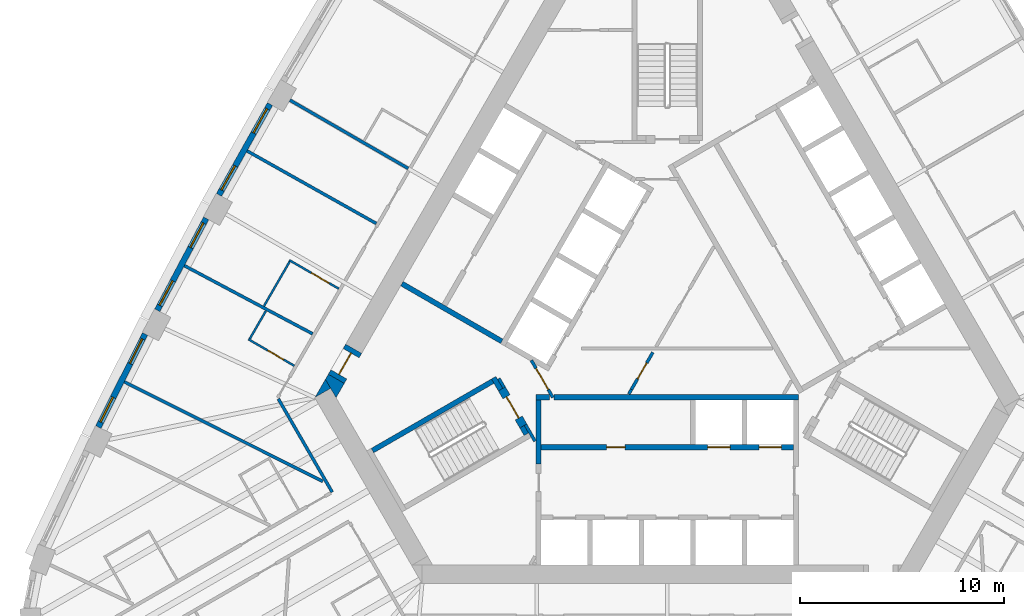
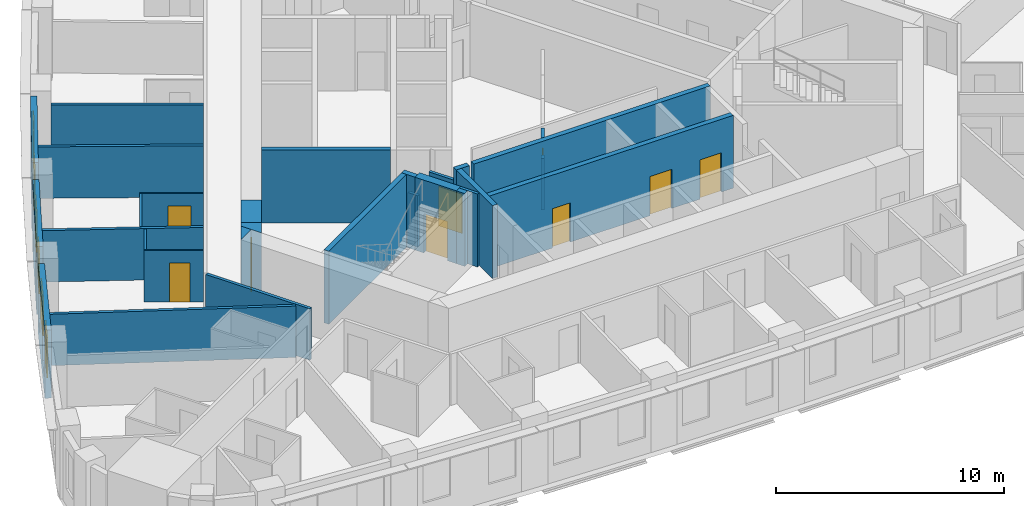
# One storey, part 5 of 13: 29 walls, 9 doors, 6 windows, 15 openings.
"""IFC4 building model written with IfcOpenShell, lengths in metres."""

import ifcopenshell
import ifcopenshell.guid

model = None  # the IFC model being written
_history = None  # IfcOwnerHistory: only IFC2X3 demands one
_inside = {}  # id of a spatial element -> (the spatial element, [elements in it])
_under = {}  # id of a project, library or spatial element -> (it, [spatial elements below it])
_declared = {}  # id of a project -> (the project, [libraries it declares])
_typed = {}  # id of a type object -> (the type object, [elements of that type])
_made_of = {}  # id of a material, layer set ... -> (it, [elements and type objects made of it])


def new_model(schema):
    """Start an empty IFC model of exactly this schema.

    Asked for "IFC4X3", IfcOpenShell would pick the latest addendum, in which some entities
    have other attributes; the version numbers below select the first issue.
    IFC2X3 requires an IfcOwnerHistory on every rooted entity: one is made here for all.
    """
    global model, _history
    if schema == "IFC4X3":
        model = ifcopenshell.file(schema_version=(4, 3, 0, 0))
    else:
        model = ifcopenshell.file(schema=schema)
    _inside.clear()
    _under.clear()
    _declared.clear()
    _typed.clear()
    _made_of.clear()
    _history = None
    if model.schema == "IFC2X3":
        org = make("IfcOrganization", Name="unknown")
        user = make(
            "IfcPersonAndOrganization",
            ThePerson=make("IfcPerson", FamilyName="unknown"),
            TheOrganization=org,
        )
        app = make(
            "IfcApplication",
            ApplicationDeveloper=org,
            Version="unknown",
            ApplicationFullName="unknown",
            ApplicationIdentifier="unknown",
        )
        _history = make(
            "IfcOwnerHistory",
            OwningUser=user,
            OwningApplication=app,
            ChangeAction="ADDED",
            CreationDate=0,
        )
    return model


def make(cls, **values):
    """One entity of the class cls with the attributes given. An attribute that is None is left unset."""
    return model.create_entity(
        cls, **{name: value for name, value in values.items() if value is not None}
    )


def rooted(cls, **values):
    """An entity with a GlobalId (a new one), such as an element, a storey or a relation."""
    return make(cls, GlobalId=ifcopenshell.guid.new(), OwnerHistory=_history, **values)


def si_unit(unit_type, name, prefix=None):
    """IfcSIUnit, for example si_unit("LENGTHUNIT", "METRE", prefix="MILLI")."""
    return make("IfcSIUnit", UnitType=unit_type, Prefix=prefix, Name=name)


def assignment(units):
    """IfcUnitAssignment: the units of a project."""
    return None if units is None else make("IfcUnitAssignment", Units=units)


def point(xyz):
    """IfcCartesianPoint."""
    return None if xyz is None else make("IfcCartesianPoint", Coordinates=xyz)


def direction(xyz):
    """IfcDirection."""
    return None if xyz is None else make("IfcDirection", DirectionRatios=xyz)


def frame(location, z_axis=None, x_axis=None):
    """IfcAxis2Placement3D, a coordinate frame: its origin and axes. An axis left out is left unset."""
    return make(
        "IfcAxis2Placement3D",
        Location=point(location),
        Axis=direction(z_axis),
        RefDirection=direction(x_axis),
    )


def frame_2d(location, x_axis=None):
    """IfcAxis2Placement2D, a coordinate frame in the plane: its origin and x axis."""
    return make(
        "IfcAxis2Placement2D", Location=point(location), RefDirection=direction(x_axis)
    )


def origin():
    """The frame at (0, 0, 0) with its axes left unset."""
    return frame((0.0, 0.0, 0.0))


def place(relative_to, where):
    """IfcLocalPlacement: puts the frame where relative to a parent placement (None: the world)."""
    return make(
        "IfcLocalPlacement", PlacementRelTo=relative_to, RelativePlacement=where
    )


def context(
    kind, dimensions, precision=None, world=None, true_north=None, identifier=None
):
    """IfcGeometricRepresentationContext, for example the 3D "Model" context."""
    return make(
        "IfcGeometricRepresentationContext",
        ContextIdentifier=identifier,
        ContextType=kind,
        CoordinateSpaceDimension=dimensions,
        Precision=precision,
        WorldCoordinateSystem=world,
        TrueNorth=true_north,
    )


def subcontext(parent, identifier, kind, view, scale=None):
    """IfcGeometricRepresentationSubContext, for example "Body" below "Model"."""
    return make(
        "IfcGeometricRepresentationSubContext",
        ContextIdentifier=identifier,
        ContextType=kind,
        ParentContext=parent,
        TargetScale=scale,
        TargetView=view,
    )


def project(units=None, contexts=None):
    """IfcProject with its units and contexts."""
    return rooted(
        "IfcProject",
        Name="project",
        RepresentationContexts=contexts,
        UnitsInContext=assignment(units),
    )


def spatial(cls, under=None, at=None, **own):
    """A site, building, storey or space (cls), placed at a placement, below another one or the project."""
    s = rooted(cls, ObjectPlacement=at, **own)
    if under is not None:
        _under.setdefault(under.id(), (under, []))[1].append(s)
    return s


def polyline(points):
    """IfcPolyline through the points."""
    return make("IfcPolyline", Points=[point(p) for p in points])


def profile(cls, at=None, kind="AREA", **sizes):
    """A parametric profile (cls). Its sizes go by their IFC names, for example OverallWidth=200.0."""
    return make(cls, ProfileType=kind, Position=at, **sizes)


def rectangle(**sizes):
    """IfcRectangleProfileDef."""
    return profile("IfcRectangleProfileDef", **sizes)


def outline(outer, holes=None, kind="AREA"):
    """IfcArbitraryClosedProfileDef: a profile drawn as a closed curve; with holes, ...WithVoids."""
    if holes is None:
        return make("IfcArbitraryClosedProfileDef", ProfileType=kind, OuterCurve=outer)
    return make(
        "IfcArbitraryProfileDefWithVoids",
        ProfileType=kind,
        OuterCurve=outer,
        InnerCurves=holes,
    )


def extrude(swept, where, along, depth):
    """IfcExtrudedAreaSolid: the profile swept, set in the frame where, extruded along a direction by depth."""
    return make(
        "IfcExtrudedAreaSolid",
        SweptArea=swept,
        Position=where,
        ExtrudedDirection=direction(along),
        Depth=depth,
    )


def shape(context_of_items, identifier, shape_type, items):
    """IfcShapeRepresentation: the items that make up one representation, for example the "Body"."""
    return make(
        "IfcShapeRepresentation",
        ContextOfItems=context_of_items,
        RepresentationIdentifier=identifier,
        RepresentationType=shape_type,
        Items=items,
    )


def material(Name=None, Category=None):
    """IfcMaterial."""
    return make("IfcMaterial", Name=Name, Category=Category)


def layer(
    of_material, thickness, ventilated=None, Name=None, Category=None, Priority=None
):
    """IfcMaterialLayer: one layer of a wall or slab, of a material (None: an air gap)."""
    return make(
        "IfcMaterialLayer",
        Material=of_material,
        LayerThickness=thickness,
        IsVentilated=ventilated,
        Name=Name,
        Category=Category,
        Priority=Priority,
    )


def layer_set(layers, Name=None):
    """IfcMaterialLayerSet."""
    return make("IfcMaterialLayerSet", MaterialLayers=layers, LayerSetName=Name)


def made_of(thing, what):
    """Note that an element or type object is made of a material, layer set ...; save() writes the relation."""
    if what is not None:
        _made_of.setdefault(what.id(), (what, []))[1].append(thing)
    return thing


def type_object(cls, material=None, **own):
    """A type object (cls), such as IfcWallType, which elements share."""
    return made_of(rooted(cls, **own), material)


def element(
    cls,
    number,
    at=None,
    inside=None,
    cuts=None,
    type_object=None,
    material=None,
    context=None,
    identifier="Body",
    shape_type=None,
    held_by="IfcProductDefinitionShape",
    body=None,
    shapes=None,
    **own,
):
    """One element of the class cls, such as IfcWall. Its Tag is "e" and its number.

    at: its placement. inside: the storey or other place that contains it. cuts: it is an
    opening in that element (IfcRelVoidsElement). A single representation is given by context,
    identifier, shape_type and body (its items); several are given by shapes. held_by: the class
    of the entity that holds the representations. save() writes the other relations.
    """
    e = rooted(cls, Tag="e%d" % number, ObjectPlacement=at, **own)
    if body is not None:
        shapes = [shape(context, identifier, shape_type, body)]
    if shapes is not None:
        e.Representation = make(held_by, Representations=shapes)
    if inside is not None:
        _inside.setdefault(inside.id(), (inside, []))[1].append(e)
    if cuts is not None:
        rooted(
            "IfcRelVoidsElement", RelatingBuildingElement=cuts, RelatedOpeningElement=e
        )
    if type_object is not None:
        _typed.setdefault(type_object.id(), (type_object, []))[1].append(e)
    return made_of(e, material)


def fill(opening, filler):
    """IfcRelFillsElement: the door or window that sits in an opening."""
    return rooted(
        "IfcRelFillsElement",
        RelatingOpeningElement=opening,
        RelatedBuildingElement=filler,
    )


def aggregate(whole, parts):
    """IfcRelAggregates: a whole, such as a stair, and the parts it consists of."""
    return rooted("IfcRelAggregates", RelatingObject=whole, RelatedObjects=parts)


def save(model, path):
    """Write the relations noted so far, then the file.

    IfcRelAggregates (storeys below a building ...), IfcRelContainedInSpatialStructure (elements
    in a storey), IfcRelDefinesByType, IfcRelAssociatesMaterial and IfcRelDeclares: one each for
    every whole, place, type object, material and project.
    """
    for whole, parts in _under.values():
        aggregate(whole, parts)
    for where, things in _inside.values():
        rooted(
            "IfcRelContainedInSpatialStructure",
            RelatedElements=things,
            RelatingStructure=where,
        )
    for kind, things in _typed.values():
        rooted("IfcRelDefinesByType", RelatedObjects=things, RelatingType=kind)
    for what, things in _made_of.values():
        rooted("IfcRelAssociatesMaterial", RelatedObjects=things, RelatingMaterial=what)
    for by, libraries in _declared.values():
        rooted("IfcRelDeclares", RelatingContext=by, RelatedDefinitions=libraries)
    model.write(path)


model = new_model("IFC4")

# Units and contexts
model_context = context("Model", 3, precision=1e-05, world=origin(), true_north=direction((0.0, 1.0)))
body_context = subcontext(model_context, "Body", "Model", "MODEL_VIEW")
ifc_project = project(units=[si_unit("LENGTHUNIT", "METRE"), si_unit("AREAUNIT", "SQUARE_METRE"), si_unit("VOLUMEUNIT", "CUBIC_METRE"), si_unit("PLANEANGLEUNIT", "RADIAN"), si_unit("MASSUNIT", "GRAM", prefix="KILO")], contexts=[model_context])

# Site, building, storey
site_placement = place(None, origin())
site = spatial("IfcSite", under=ifc_project, at=site_placement, CompositionType="ELEMENT")
building_placement = place(site_placement, origin())
building = spatial("IfcBuilding", under=site, at=building_placement, Name="Mestral Congress Tower", CompositionType="ELEMENT")
storey_placement = place(building_placement, frame((0.0, 0.0, 91.5)))
storey = spatial("IfcBuildingStorey", under=building, at=storey_placement, Name="L21", CompositionType="ELEMENT", Elevation=91.5)

# Walls
ifc_material_1 = material(Name="Fire-rated board partition")
ifc_layer_1 = layer(ifc_material_1, 0.14990234375)
ifc_layer_set_1 = layer_set([ifc_layer_1], Name="Fire-rated board partition")
wall_type_1 = type_object("IfcWallType", Name="Core partition 150", PredefinedType="PARTITIONING", material=ifc_layer_set_1)
wall_1_placement = place(storey_placement, frame((-1.886962890625, -3.71826171875, 0.0), z_axis=(0.0, 0.0, 1.0), x_axis=(0.500165633897, 0.865929753888, 0.0)))
element("IfcWall", 1, at=wall_1_placement, inside=storey, type_object=wall_type_1, Name="L21 core wall", PredefinedType="PARTITIONING", context=body_context, shape_type="SweptSolid", body=[
    extrude(rectangle(XDim=0.25439453125, YDim=0.14990234375, at=frame_2d((0.127197265625, 0.0))), origin(), (0.0, 0.0, 1.0), 2.75),
])
wall_2_placement = place(storey_placement, frame((-8.251953125, -2.958251953125, 0.0), z_axis=(0.0, 0.0, 1.0), x_axis=(0.500174715838, -0.865924508047, 0.0)))
element("IfcWall", 2, at=wall_2_placement, inside=storey, type_object=wall_type_1, Name="L21 core wall", PredefinedType="PARTITIONING", context=body_context, shape_type="SweptSolid", body=[
    extrude(rectangle(XDim=0.513916015625, YDim=0.14990234375, at=frame_2d((0.2568359375, 0.0))), origin(), (0.0, 0.0, 1.0), 2.75),
])

# Wall, opening, door
wall_3_placement = place(storey_placement, frame((-1.759765625, -3.498046875, 0.0), z_axis=(0.0, 0.0, 1.0), x_axis=(0.499977374825, 0.866038466041, 0.0)))
wall_3 = element("IfcWall", 3, at=wall_3_placement, inside=storey, type_object=wall_type_1, Name="L21 door wall", PredefinedType="PARTITIONING", context=body_context, shape_type="SweptSolid", body=[
    extrude(rectangle(XDim=2.10009765625, YDim=0.14990234375, at=frame_2d((1.050048828125, 0.0))), origin(), (0.0, 0.0, 1.0), 2.75),
])
opening_1_placement = place(wall_3_placement, frame((0.60009765625, 0.0, 0.0)))
opening_1 = element("IfcOpeningElement", 4, at=opening_1_placement, cuts=wall_3, Name="Opening CD1-HUB0", PredefinedType="OPENING", context=body_context, shape_type="SweptSolid", body=[
    extrude(rectangle(XDim=0.89990234375, YDim=2.10009765625, at=frame_2d((0.449951171875, 1.050048828125))), frame((0.0, 0.0849609375, 0.0), z_axis=(0.0, -1.0, 0.0), x_axis=(1.0, 0.0, 0.0)), (0.0, 0.0, 1.0), 0.169921875),
])
ifc_material_2 = material(Name="Fire-rated steel door set", Category="steel")
door_type_1 = type_object("IfcDoorType", Name="Core door CD 900x2100", OperationType="SINGLE_SWING_LEFT", PredefinedType="DOOR", material=ifc_material_2)
door_1_placement = place(opening_1_placement, origin())
door_1 = element("IfcDoor", 5, at=door_1_placement, inside=storey, type_object=door_type_1, Name="Door CD1-HUB0", OperationType="SINGLE_SWING_LEFT", OverallHeight=2.10009765625, OverallWidth=0.89990234375, PredefinedType="DOOR", context=body_context, shape_type="SweptSolid", body=[
    extrude(rectangle(XDim=0.89990234375, YDim=2.10009765625, at=frame_2d((0.449951171875, 1.050048828125))), frame((0.0, 0.02490234375, 0.0), z_axis=(0.0, -1.0, 0.0), x_axis=(1.0, 0.0, 0.0)), (0.0, 0.0, 1.0), 0.050048828125),
])
fill(opening_1, door_1)

wall_4_placement = place(storey_placement, frame((-5.606201171875, -3.8896484375, 0.0), z_axis=(0.0, 0.0, 1.0), x_axis=(-0.500027713859, 0.866009402589, 0.0)))
wall_4 = element("IfcWall", 6, at=wall_4_placement, inside=storey, type_object=wall_type_1, Name="L21 door wall", PredefinedType="PARTITIONING", context=body_context, shape_type="SweptSolid", body=[
    extrude(rectangle(XDim=2.10009765625, YDim=0.14990234375, at=frame_2d((1.050048828125, 0.0))), origin(), (0.0, 0.0, 1.0), 2.75),
])
opening_2_placement = place(wall_4_placement, frame((0.449951171875, 0.0, 0.0)))
opening_2 = element("IfcOpeningElement", 7, at=opening_2_placement, cuts=wall_4, Name="Opening CD3-FF", PredefinedType="OPENING", context=body_context, shape_type="SweptSolid", body=[
    extrude(rectangle(XDim=1.199951171875, YDim=2.10009765625, at=frame_2d((0.60009765625, 1.050048828125))), frame((0.0, 0.0849609375, 0.0), z_axis=(0.0, -1.0, 0.0), x_axis=(1.0, 0.0, 0.0)), (0.0, 0.0, 1.0), 0.169921875),
])
door_type_2 = type_object("IfcDoorType", Name="Core door CD 1200x2100", OperationType="SINGLE_SWING_LEFT", PredefinedType="DOOR", material=ifc_material_2)
door_2_placement = place(opening_2_placement, origin())
door_2 = element("IfcDoor", 8, at=door_2_placement, inside=storey, type_object=door_type_2, Name="Door CD3-FF", OperationType="SINGLE_SWING_LEFT", OverallHeight=2.10009765625, OverallWidth=1.199951171875, PredefinedType="DOOR", context=body_context, shape_type="SweptSolid", body=[
    extrude(rectangle(XDim=1.199951171875, YDim=2.10009765625, at=frame_2d((0.60009765625, 1.050048828125))), frame((0.0, 0.02490234375, 0.0), z_axis=(0.0, -1.0, 0.0), x_axis=(1.0, 0.0, 0.0)), (0.0, 0.0, 1.0), 0.050048828125),
])
fill(opening_2, door_2)

# Walls
ifc_material_3 = material(Name="Concrete C60/75", Category="concrete")
ifc_layer_2 = layer(ifc_material_3, 0.89990234375)
ifc_layer_set_2 = layer_set([ifc_layer_2], Name="Concrete C60/75")
wall_type_2 = type_object("IfcWallType", Name="Core wall RC 900", PredefinedType="SOLIDWALL", material=ifc_layer_set_2)
placement = place(storey_placement, origin())
element("IfcWall", 9, at=placement, inside=storey, type_object=wall_type_2, Name="L21 core wall", PredefinedType="SOLIDWALL", context=body_context, shape_type="SweptSolid", body=[
    extrude(outline(polyline([(-16.4892578125, -3.43994140625), (-17.251220703125, -3.8798828125), (-16.7431640625, -3.0), (-16.4892578125, -3.43994140625)])), origin(), (0.0, 0.0, 1.0), 3.89990234375),
])
element("IfcWall", 10, at=placement, inside=storey, type_object=wall_type_2, Name="L21 core wall", PredefinedType="SOLIDWALL", context=body_context, shape_type="SweptSolid", body=[
    extrude(outline(polyline([(-15.81982421875, -3.20068359375), (-16.223388671875, -3.89990234375), (-16.7431640625, -3.0), (-16.599365234375, -2.750732421875), (-15.81982421875, -3.20068359375)])), origin(), (0.0, 0.0, 1.0), 3.89990234375),
])

# Wall, opening, door
wall_7_placement = place(storey_placement, frame((-16.20947265625, -2.9755859375, 0.0), z_axis=(0.0, 0.0, 1.0), x_axis=(0.499954529098, 0.86605165483, 0.0)))
wall_7 = element("IfcWall", 11, at=wall_7_placement, inside=storey, type_object=wall_type_2, Name="L21 door wall", PredefinedType="SOLIDWALL", context=body_context, shape_type="SweptSolid", body=[
    extrude(rectangle(XDim=1.699951171875, YDim=0.89990234375, at=frame_2d((0.85009765625, 0.0))), origin(), (0.0, 0.0, 1.0), 3.89990234375),
])
opening_3_placement = place(wall_7_placement, frame((0.25, 0.0, 0.0)))
opening_3 = element("IfcOpeningElement", 12, at=opening_3_placement, cuts=wall_7, Name="Opening XD3", PredefinedType="OPENING", context=body_context, shape_type="SweptSolid", body=[
    extrude(rectangle(XDim=1.199951171875, YDim=2.10009765625, at=frame_2d((0.60009765625, 1.050048828125))), frame((0.0, 0.4599609375, 0.0), z_axis=(0.0, -1.0, 0.0), x_axis=(1.0, 0.0, 0.0)), (0.0, 0.0, 1.0), 0.919921875),
])
door_type_3 = type_object("IfcDoorType", Name="Core door XD 1200x2100", OperationType="SINGLE_SWING_LEFT", PredefinedType="DOOR", material=ifc_material_2)
door_3_placement = place(opening_3_placement, origin())
door_3 = element("IfcDoor", 13, at=door_3_placement, inside=storey, type_object=door_type_3, Name="Door XD3", OperationType="SINGLE_SWING_LEFT", OverallHeight=2.10009765625, OverallWidth=1.199951171875, PredefinedType="DOOR", context=body_context, shape_type="SweptSolid", body=[
    extrude(rectangle(XDim=1.199951171875, YDim=2.10009765625, at=frame_2d((0.60009765625, 1.050048828125))), frame((0.0, 0.02490234375, 0.0), z_axis=(0.0, -1.0, 0.0), x_axis=(1.0, 0.0, 0.0)), (0.0, 0.0, 1.0), 0.050048828125),
])
fill(opening_3, door_3)

# Wall, openings, windows
ifc_material_4 = material(Name="Precast concrete C40/50 with limestone facing", Category="masonry")
ifc_layer_3 = layer(ifc_material_4, 0.2900390625)
ifc_layer_set_3 = layer_set([ifc_layer_3], Name="Precast concrete C40/50 with limestone facing")
wall_type_3 = type_object("IfcWallType", Name="Facade stone wall 290", PredefinedType="SOLIDWALL", material=ifc_layer_set_3)
wall_8_placement = place(storey_placement, frame((-19.4580078125, 10.479736328125, 0.0), z_axis=(0.0, 0.0, 1.0), x_axis=(-0.48983164787, -0.87181704316, 0.0)))
wall_8 = element("IfcWall", 14, at=wall_8_placement, inside=storey, type_object=wall_type_3, Name="Facade wall F2-04", PredefinedType="SOLIDWALL", context=body_context, shape_type="SweptSolid", body=[
    extrude(rectangle(XDim=5.100341796875, YDim=0.2900390625, at=frame_2d((2.55029296875, 0.0))), origin(), (0.0, 0.0, 1.0), 3.64990234375),
])
opening_4_placement = place(wall_8_placement, frame((0.2724609375, 0.0, 0.89990234375)))
opening_4 = element("IfcOpeningElement", 15, at=opening_4_placement, cuts=wall_8, Name="Opening W2", PredefinedType="OPENING", context=body_context, shape_type="SweptSolid", body=[
    extrude(rectangle(XDim=1.35009765625, YDim=2.14990234375, at=frame_2d((0.675048828125, 1.074951171875))), frame((0.0, 0.155029296875, 0.0), z_axis=(0.0, -1.0, 0.0), x_axis=(1.0, 0.0, 0.0)), (0.0, 0.0, 1.0), 0.31005859375),
])
opening_5_placement = place(wall_8_placement, frame((3.477783203125, 0.0, 0.89990234375)))
opening_5 = element("IfcOpeningElement", 16, at=opening_5_placement, cuts=wall_8, Name="Opening W2", PredefinedType="OPENING", context=body_context, shape_type="SweptSolid", body=[
    extrude(rectangle(XDim=1.35009765625, YDim=2.14990234375, at=frame_2d((0.675048828125, 1.074951171875))), frame((0.0, 0.155029296875, 0.0), z_axis=(0.0, -1.0, 0.0), x_axis=(1.0, 0.0, 0.0)), (0.0, 0.0, 1.0), 0.31005859375),
])
ifc_material_5 = material(Name="Clear low-emissivity double glazing", Category="glass")
window_type = type_object("IfcWindowType", Name="Facade punched window 1350 x 2150 sill 900", PartitioningType="DOUBLE_PANEL_VERTICAL", PredefinedType="WINDOW", material=ifc_material_5)
window_1_placement = place(opening_4_placement, origin())
window_1 = element("IfcWindow", 17, at=window_1_placement, inside=storey, type_object=window_type, Name="Window F2-04a", OverallHeight=2.14990234375, OverallWidth=1.35009765625, PartitioningType="DOUBLE_PANEL_VERTICAL", PredefinedType="WINDOW", context=body_context, shape_type="SweptSolid", body=[
    extrude(rectangle(XDim=1.35009765625, YDim=2.14990234375, at=frame_2d((0.675048828125, 1.074951171875))), frame((0.0, 0.01513671875, 0.0), z_axis=(0.0, -1.0, 0.0), x_axis=(1.0, 0.0, 0.0)), (0.0, 0.0, 1.0), 0.06005859375),
])
fill(opening_4, window_1)
window_2_placement = place(opening_5_placement, origin())
window_2 = element("IfcWindow", 18, at=window_2_placement, inside=storey, type_object=window_type, Name="Window F2-04b", OverallHeight=2.14990234375, OverallWidth=1.35009765625, PartitioningType="DOUBLE_PANEL_VERTICAL", PredefinedType="WINDOW", context=body_context, shape_type="SweptSolid", body=[
    extrude(rectangle(XDim=1.35009765625, YDim=2.14990234375, at=frame_2d((0.675048828125, 1.074951171875))), frame((0.0, 0.01513671875, 0.0), z_axis=(0.0, -1.0, 0.0), x_axis=(1.0, 0.0, 0.0)), (0.0, 0.0, 1.0), 0.06005859375),
])
fill(opening_5, window_2)

wall_9_placement = place(storey_placement, frame((-22.5830078125, 4.88671875, 0.0), z_axis=(0.0, 0.0, 1.0), x_axis=(-0.469323203119, -0.883026461106, 0.0)))
wall_9 = element("IfcWall", 19, at=wall_9_placement, inside=storey, type_object=wall_type_3, Name="Facade wall F2-05", PredefinedType="SOLIDWALL", context=body_context, shape_type="SweptSolid", body=[
    extrude(rectangle(XDim=5.1005859375, YDim=0.2900390625, at=frame_2d((2.55029296875, 0.0))), origin(), (0.0, 0.0, 1.0), 3.64990234375),
])
opening_6_placement = place(wall_9_placement, frame((0.272705078125, 0.0, 0.89990234375)))
opening_6 = element("IfcOpeningElement", 20, at=opening_6_placement, cuts=wall_9, Name="Opening W2", PredefinedType="OPENING", context=body_context, shape_type="SweptSolid", body=[
    extrude(rectangle(XDim=1.35009765625, YDim=2.14990234375, at=frame_2d((0.675048828125, 1.074951171875))), frame((0.0, 0.155029296875, 0.0), z_axis=(0.0, -1.0, 0.0), x_axis=(1.0, 0.0, 0.0)), (0.0, 0.0, 1.0), 0.31005859375),
])
opening_7_placement = place(wall_9_placement, frame((3.477783203125, 0.0, 0.89990234375)))
opening_7 = element("IfcOpeningElement", 21, at=opening_7_placement, cuts=wall_9, Name="Opening W2", PredefinedType="OPENING", context=body_context, shape_type="SweptSolid", body=[
    extrude(rectangle(XDim=1.35009765625, YDim=2.14990234375, at=frame_2d((0.675048828125, 1.074951171875))), frame((0.0, 0.155029296875, 0.0), z_axis=(0.0, -1.0, 0.0), x_axis=(1.0, 0.0, 0.0)), (0.0, 0.0, 1.0), 0.31005859375),
])
window_3_placement = place(opening_6_placement, origin())
window_3 = element("IfcWindow", 22, at=window_3_placement, inside=storey, type_object=window_type, Name="Window F2-05a", OverallHeight=2.14990234375, OverallWidth=1.35009765625, PartitioningType="DOUBLE_PANEL_VERTICAL", PredefinedType="WINDOW", context=body_context, shape_type="SweptSolid", body=[
    extrude(rectangle(XDim=1.35009765625, YDim=2.14990234375, at=frame_2d((0.675048828125, 1.074951171875))), frame((0.0, 0.01513671875, 0.0), z_axis=(0.0, -1.0, 0.0), x_axis=(1.0, 0.0, 0.0)), (0.0, 0.0, 1.0), 0.06005859375),
])
fill(opening_6, window_3)
window_4_placement = place(opening_7_placement, origin())
window_4 = element("IfcWindow", 23, at=window_4_placement, inside=storey, type_object=window_type, Name="Window F2-05b", OverallHeight=2.14990234375, OverallWidth=1.35009765625, PartitioningType="DOUBLE_PANEL_VERTICAL", PredefinedType="WINDOW", context=body_context, shape_type="SweptSolid", body=[
    extrude(rectangle(XDim=1.35009765625, YDim=2.14990234375, at=frame_2d((0.675048828125, 1.074951171875))), frame((0.0, 0.01513671875, 0.0), z_axis=(0.0, -1.0, 0.0), x_axis=(1.0, 0.0, 0.0)), (0.0, 0.0, 1.0), 0.06005859375),
])
fill(opening_7, window_4)

wall_10_placement = place(storey_placement, frame((-25.576416015625, -0.77783203125, 0.0), z_axis=(0.0, 0.0, 1.0), x_axis=(-0.448534297211, -0.893765620409, 0.0)))
wall_10 = element("IfcWall", 24, at=wall_10_placement, inside=storey, type_object=wall_type_3, Name="Facade wall F2-06", PredefinedType="SOLIDWALL", context=body_context, shape_type="SweptSolid", body=[
    extrude(rectangle(XDim=5.10009765625, YDim=0.2900390625, at=frame_2d((2.550048828125, 0.0))), origin(), (0.0, 0.0, 1.0), 3.64990234375),
])
opening_8_placement = place(wall_10_placement, frame((0.2724609375, 0.0, 0.89990234375)))
opening_8 = element("IfcOpeningElement", 25, at=opening_8_placement, cuts=wall_10, Name="Opening W2", PredefinedType="OPENING", context=body_context, shape_type="SweptSolid", body=[
    extrude(rectangle(XDim=1.35009765625, YDim=2.14990234375, at=frame_2d((0.675048828125, 1.074951171875))), frame((0.0, 0.155029296875, 0.0), z_axis=(0.0, -1.0, 0.0), x_axis=(1.0, 0.0, 0.0)), (0.0, 0.0, 1.0), 0.31005859375),
])
opening_9_placement = place(wall_10_placement, frame((3.477783203125, 0.0, 0.89990234375)))
opening_9 = element("IfcOpeningElement", 26, at=opening_9_placement, cuts=wall_10, Name="Opening W2", PredefinedType="OPENING", context=body_context, shape_type="SweptSolid", body=[
    extrude(rectangle(XDim=1.35009765625, YDim=2.14990234375, at=frame_2d((0.675048828125, 1.074951171875))), frame((0.0, 0.155029296875, 0.0), z_axis=(0.0, -1.0, 0.0), x_axis=(1.0, 0.0, 0.0)), (0.0, 0.0, 1.0), 0.31005859375),
])
window_5_placement = place(opening_8_placement, origin())
window_5 = element("IfcWindow", 27, at=window_5_placement, inside=storey, type_object=window_type, Name="Window F2-06a", OverallHeight=2.14990234375, OverallWidth=1.35009765625, PartitioningType="DOUBLE_PANEL_VERTICAL", PredefinedType="WINDOW", context=body_context, shape_type="SweptSolid", body=[
    extrude(rectangle(XDim=1.35009765625, YDim=2.14990234375, at=frame_2d((0.675048828125, 1.074951171875))), frame((0.0, 0.01513671875, 0.0), z_axis=(0.0, -1.0, 0.0), x_axis=(1.0, 0.0, 0.0)), (0.0, 0.0, 1.0), 0.06005859375),
])
fill(opening_8, window_5)
window_6_placement = place(opening_9_placement, origin())
window_6 = element("IfcWindow", 28, at=window_6_placement, inside=storey, type_object=window_type, Name="Window F2-06b", OverallHeight=2.14990234375, OverallWidth=1.35009765625, PartitioningType="DOUBLE_PANEL_VERTICAL", PredefinedType="WINDOW", context=body_context, shape_type="SweptSolid", body=[
    extrude(rectangle(XDim=1.35009765625, YDim=2.14990234375, at=frame_2d((0.675048828125, 1.074951171875))), frame((0.0, 0.01513671875, 0.0), z_axis=(0.0, -1.0, 0.0), x_axis=(1.0, 0.0, 0.0)), (0.0, 0.0, 1.0), 0.06005859375),
])
fill(opening_9, window_6)

# Wall, opening, door
ifc_material_6 = material(Name="Gypsum board partition on metal studs with mineral wool", Category="composite")
ifc_layer_4 = layer(ifc_material_6, 0.10009765625)
ifc_layer_set_4 = layer_set([ifc_layer_4], Name="Gypsum board partition on metal studs with mineral wool")
wall_type_4 = type_object("IfcWallType", Name="Hotel partition wall 100", PredefinedType="PARTITIONING", material=ifc_layer_set_4)
wall_11_placement = place(storey_placement, frame((-16.08740234375, 1.435791015625, 0.0), z_axis=(0.0, 0.0, 1.0), x_axis=(-0.866034573852, 0.49998411664, 0.0)))
wall_11 = element("IfcWall", 29, at=wall_11_placement, inside=storey, type_object=wall_type_4, Name="L21-h-pod24a", PredefinedType="PARTITIONING", context=body_context, shape_type="SweptSolid", body=[
    extrude(rectangle(XDim=2.7998046875, YDim=0.10009765625, at=frame_2d((1.39990234375, 0.0))), origin(), (0.0, 0.0, 1.0), 2.75),
])
opening_10_placement = place(wall_11_placement, frame((0.550048828125, 0.0, 0.0)))
opening_10 = element("IfcOpeningElement", 30, at=opening_10_placement, cuts=wall_11, Name="Opening H06-045", PredefinedType="OPENING", context=body_context, shape_type="SweptSolid", body=[
    extrude(rectangle(XDim=1.0, YDim=2.10009765625, at=frame_2d((0.5, 1.050048828125))), frame((0.0, 0.06005859375, 0.0), z_axis=(0.0, -1.0, 0.0), x_axis=(1.0, 0.0, 0.0)), (0.0, 0.0, 1.0), 0.1201171875),
])
ifc_material_7 = material(Name="Timber veneer door leaf in timber frame", Category="wood")
door_type_4 = type_object("IfcDoorType", Name="Accessible bathroom door 1000", OperationType="SINGLE_SWING_LEFT", PredefinedType="DOOR", material=ifc_material_7)
door_4_placement = place(opening_10_placement, origin())
door_4 = element("IfcDoor", 31, at=door_4_placement, inside=storey, type_object=door_type_4, Name="L21-h-d045", OperationType="SINGLE_SWING_RIGHT", OverallHeight=2.10009765625, OverallWidth=1.0, PredefinedType="DOOR", context=body_context, shape_type="SweptSolid", body=[
    extrude(rectangle(XDim=1.0, YDim=2.10009765625, at=frame_2d((0.5, 1.050048828125))), frame((0.0, 0.02490234375, 0.0), z_axis=(0.0, -1.0, 0.0), x_axis=(1.0, 0.0, 0.0)), (0.0, 0.0, 1.0), 0.050048828125),
])
fill(opening_10, door_4)

# Wall
wall_12_placement = place(storey_placement, frame((-18.493896484375, 2.767578125, 0.0), z_axis=(0.0, 0.0, 1.0), x_axis=(-0.500004791531, -0.866022637375, 0.0)))
element("IfcWall", 32, at=wall_12_placement, inside=storey, type_object=wall_type_4, Name="L21-h-pod24b", PredefinedType="PARTITIONING", context=body_context, shape_type="SweptSolid", body=[
    extrude(rectangle(XDim=2.52001953125, YDim=0.10009765625, at=frame_2d((1.260009765625, 0.0))), origin(), (0.0, 0.0, 1.0), 2.75),
])

# Wall, opening, door
wall_13_placement = place(storey_placement, frame((-20.517578125, -1.037353515625, 0.0), z_axis=(0.0, 0.0, 1.0), x_axis=(0.866021400173, -0.500006934395, 0.0)))
wall_13 = element("IfcWall", 33, at=wall_13_placement, inside=storey, type_object=wall_type_4, Name="L21-h-pod25a", PredefinedType="PARTITIONING", context=body_context, shape_type="SweptSolid", body=[
    extrude(rectangle(XDim=2.60009765625, YDim=0.10009765625, at=frame_2d((1.300048828125, 0.0))), origin(), (0.0, 0.0, 1.0), 2.75),
])
opening_11_placement = place(wall_13_placement, frame((1.10009765625, 0.0, 0.0)))
opening_11 = element("IfcOpeningElement", 34, at=opening_11_placement, cuts=wall_13, Name="Opening H06-047", PredefinedType="OPENING", context=body_context, shape_type="SweptSolid", body=[
    extrude(rectangle(XDim=0.89990234375, YDim=2.10009765625, at=frame_2d((0.449951171875, 1.050048828125))), frame((0.0, 0.06005859375, 0.0), z_axis=(0.0, -1.0, 0.0), x_axis=(1.0, 0.0, 0.0)), (0.0, 0.0, 1.0), 0.1201171875),
])
door_type_5 = type_object("IfcDoorType", Name="Bathroom door 900", OperationType="SINGLE_SWING_LEFT", PredefinedType="DOOR", material=ifc_material_7)
door_5_placement = place(opening_11_placement, origin())
door_5 = element("IfcDoor", 35, at=door_5_placement, inside=storey, type_object=door_type_5, Name="L21-h-d047", OperationType="SINGLE_SWING_LEFT", OverallHeight=2.10009765625, OverallWidth=0.89990234375, PredefinedType="DOOR", context=body_context, shape_type="SweptSolid", body=[
    extrude(rectangle(XDim=0.89990234375, YDim=2.10009765625, at=frame_2d((0.449951171875, 1.050048828125))), frame((0.0, 0.02490234375, 0.0), z_axis=(0.0, -1.0, 0.0), x_axis=(1.0, 0.0, 0.0)), (0.0, 0.0, 1.0), 0.050048828125),
])
fill(opening_11, door_5)

# Walls
wall_14_placement = place(storey_placement, frame((-20.44921875, -1.01904296875, 0.0), z_axis=(0.0, 0.0, 1.0), x_axis=(0.500061319399, 0.865989998118, 0.0)))
element("IfcWall", 36, at=wall_14_placement, inside=storey, type_object=wall_type_4, Name="L21-h-pod25b", PredefinedType="PARTITIONING", context=body_context, shape_type="SweptSolid", body=[
    extrude(rectangle(XDim=1.579833984375, YDim=0.10009765625, at=frame_2d((0.7900390625, 0.0))), origin(), (0.0, 0.0, 1.0), 2.75),
])
ifc_layer_5 = layer(ifc_material_6, 0.14990234375)
ifc_layer_set_5 = layer_set([ifc_layer_5], Name="Gypsum board partition on metal studs with mineral wool")
wall_type_5 = type_object("IfcWallType", Name="Hotel partition wall 150", PredefinedType="PARTITIONING", material=ifc_layer_set_5)
wall_15_placement = place(storey_placement, frame((-16.412353515625, -8.52294921875, 0.0), z_axis=(0.0, 0.0, 1.0), x_axis=(-0.500001929737, 0.866024289647, 0.0)))
element("IfcWall", 37, at=wall_15_placement, inside=storey, type_object=wall_type_5, Name="L21-h-cw09", PredefinedType="PARTITIONING", context=body_context, shape_type="SweptSolid", body=[
    extrude(rectangle(XDim=5.26806640625, YDim=0.14990234375, at=frame_2d((2.634033203125, 0.0))), origin(), (0.0, 0.0, 1.0), 2.75),
])
wall_16_placement = place(storey_placement, frame((-23.65185546875, 2.56689453125, 0.0), z_axis=(0.0, 0.0, 1.0), x_axis=(0.883019237957, -0.469336793144, 0.0)))
element("IfcWall", 38, at=wall_16_placement, inside=storey, type_object=wall_type_5, Name="L21-h-pw05", PredefinedType="PARTITIONING", context=body_context, shape_type="SweptSolid", body=[
    extrude(rectangle(XDim=7.11083984375, YDim=0.14990234375, at=frame_2d((3.555419921875, 0.0))), origin(), (0.0, 0.0, 1.0), 2.75),
])
wall_17_placement = place(storey_placement, frame((-26.590576171875, -3.1220703125, 0.0), z_axis=(0.0, 0.0, 1.0), x_axis=(0.893766213273, -0.448533115847, 0.0)))
element("IfcWall", 39, at=wall_17_placement, inside=storey, type_object=wall_type_5, Name="L21-h-pw06", PredefinedType="PARTITIONING", context=body_context, shape_type="SweptSolid", body=[
    extrude(rectangle(XDim=10.875244140625, YDim=0.14990234375, at=frame_2d((5.4375, 0.0))), origin(), (0.0, 0.0, 1.0), 2.75),
])
wall_18_placement = place(storey_placement, frame((-20.580810546875, 8.185302734375, 0.0), z_axis=(0.0, 0.0, 1.0), x_axis=(0.871820720803, -0.489825102233, 0.0)))
element("IfcWall", 40, at=wall_18_placement, inside=storey, type_object=wall_type_5, Name="L21-h-pw07", PredefinedType="PARTITIONING", context=body_context, shape_type="SweptSolid", body=[
    extrude(rectangle(XDim=7.256591796875, YDim=0.14990234375, at=frame_2d((3.62841796875, 0.0))), origin(), (0.0, 0.0, 1.0), 2.75),
])
wall_19_placement = place(storey_placement, frame((-18.484130859375, 10.671875, 0.0), z_axis=(0.0, 0.0, 1.0), x_axis=(0.866019162053, -0.50001081084, 0.0)))
element("IfcWall", 41, at=wall_19_placement, inside=storey, type_object=wall_type_5, Name="L21-h-pw08", PredefinedType="PARTITIONING", context=body_context, shape_type="SweptSolid", body=[
    extrude(rectangle(XDim=6.693603515625, YDim=0.14990234375, at=frame_2d((3.3466796875, 0.0))), origin(), (0.0, 0.0, 1.0), 2.75),
])
ifc_layer_6 = layer(ifc_material_3, 0.25)
ifc_layer_set_6 = layer_set([ifc_layer_6], Name="Concrete C60/75")
wall_type_6 = type_object("IfcWallType", Name="Shaft wall RC 250", PredefinedType="SOLIDWALL", material=ifc_layer_set_6)
wall_20_placement = place(storey_placement, frame((-5.544921875, -3.875, 0.0), z_axis=(0.0, 0.0, 1.0), x_axis=(1.0, 0.0, 0.0)))
element("IfcWall", 42, at=wall_20_placement, inside=storey, type_object=wall_type_6, Name="L21 core wall", PredefinedType="SOLIDWALL", context=body_context, shape_type="SweptSolid", body=[
    extrude(rectangle(XDim=11.969970703125, YDim=0.25, at=frame_2d((5.98486328125, 0.0))), origin(), (0.0, 0.0, 1.0), 3.89990234375),
])
wall_21_placement = place(storey_placement, frame((-6.425048828125, -3.875, 0.0), z_axis=(0.0, 0.0, 1.0), x_axis=(1.0, 0.0, 0.0)))
element("IfcWall", 43, at=wall_21_placement, inside=storey, type_object=wall_type_6, Name="L21 core wall", PredefinedType="SOLIDWALL", context=body_context, shape_type="SweptSolid", body=[
    extrude(rectangle(XDim=0.657958984375, YDim=0.25, at=frame_2d((0.3291015625, 0.0))), origin(), (0.0, 0.0, 1.0), 3.89990234375),
])
wall_22_placement = place(storey_placement, frame((-6.300048828125, -4.0, 0.0), z_axis=(0.0, 0.0, 1.0), x_axis=(0.0, -1.0, 0.0)))
element("IfcWall", 44, at=wall_22_placement, inside=storey, type_object=wall_type_6, Name="L21 core wall", PredefinedType="SOLIDWALL", context=body_context, shape_type="SweptSolid", body=[
    extrude(rectangle(XDim=3.154296875, YDim=0.25, at=frame_2d((1.5771484375, 0.0))), origin(), (0.0, 0.0, 1.0), 3.89990234375),
])
wall_23_placement = place(storey_placement, frame((-8.10595703125, -1.139892578125, 0.0), z_axis=(0.0, 0.0, 1.0), x_axis=(-0.866000643155, 0.500042884217, 0.0)))
element("IfcWall", 45, at=wall_23_placement, inside=storey, type_object=wall_type_6, Name="L21 core wall", PredefinedType="SOLIDWALL", context=body_context, shape_type="SweptSolid", body=[
    extrude(rectangle(XDim=5.64990234375, YDim=0.25, at=frame_2d((2.824951171875, 0.0))), origin(), (0.0, 0.0, 1.0), 3.89990234375),
])

# Wall, openings, doors
wall_24_placement = place(storey_placement, frame((-6.175048828125, -6.324951171875, 0.0), z_axis=(0.0, 0.0, 1.0), x_axis=(1.0, 0.0, 0.0)))
wall_24 = element("IfcWall", 46, at=wall_24_placement, inside=storey, type_object=wall_type_6, Name="L21 door wall", PredefinedType="SOLIDWALL", context=body_context, shape_type="SweptSolid", body=[
    extrude(rectangle(XDim=12.35009765625, YDim=0.25, at=frame_2d((6.175048828125, 0.0))), origin(), (0.0, 0.0, 1.0), 3.89990234375),
])
opening_12_placement = place(wall_24_placement, frame((3.205078125, 0.0, 0.0)))
opening_12 = element("IfcOpeningElement", 47, at=opening_12_placement, cuts=wall_24, Name="Opening SR-SOB1", PredefinedType="OPENING", context=body_context, shape_type="SweptSolid", body=[
    extrude(rectangle(XDim=0.89990234375, YDim=2.10009765625, at=frame_2d((0.449951171875, 1.050048828125))), frame((0.0, 0.135009765625, 0.0), z_axis=(0.0, -1.0, 0.0), x_axis=(1.0, 0.0, 0.0)), (0.0, 0.0, 1.0), 0.27001953125),
])
opening_13_placement = place(wall_24_placement, frame((8.14501953125, 0.0, 0.0)))
opening_13 = element("IfcOpeningElement", 48, at=opening_13_placement, cuts=wall_24, Name="Opening LD-SOB4", PredefinedType="OPENING", context=body_context, shape_type="SweptSolid", body=[
    extrude(rectangle(XDim=1.10009765625, YDim=2.10009765625, at=frame_2d((0.550048828125, 1.050048828125))), frame((0.0, 0.135009765625, 0.0), z_axis=(0.0, -1.0, 0.0), x_axis=(1.0, 0.0, 0.0)), (0.0, 0.0, 1.0), 0.27001953125),
])
opening_14_placement = place(wall_24_placement, frame((10.6650390625, 0.0, 0.0)))
opening_14 = element("IfcOpeningElement", 49, at=opening_14_placement, cuts=wall_24, Name="Opening LD-SOB5", PredefinedType="OPENING", context=body_context, shape_type="SweptSolid", body=[
    extrude(rectangle(XDim=1.10009765625, YDim=2.10009765625, at=frame_2d((0.550048828125, 1.050048828125))), frame((0.0, 0.135009765625, 0.0), z_axis=(0.0, -1.0, 0.0), x_axis=(1.0, 0.0, 0.0)), (0.0, 0.0, 1.0), 0.27001953125),
])
door_type_6 = type_object("IfcDoorType", Name="Core door LD 1100x2100", OperationType="DOUBLE_DOOR_SLIDING", PredefinedType="DOOR", material=ifc_material_2)
door_6_placement = place(opening_13_placement, origin())
door_6 = element("IfcDoor", 50, at=door_6_placement, inside=storey, type_object=door_type_6, Name="Door LD-SOB4", OperationType="DOUBLE_DOOR_SLIDING", OverallHeight=2.10009765625, OverallWidth=1.10009765625, PredefinedType="DOOR", context=body_context, shape_type="SweptSolid", body=[
    extrude(rectangle(XDim=1.10009765625, YDim=2.10009765625, at=frame_2d((0.550048828125, 1.050048828125))), frame((0.0, 0.02490234375, 0.0), z_axis=(0.0, -1.0, 0.0), x_axis=(1.0, 0.0, 0.0)), (0.0, 0.0, 1.0), 0.050048828125),
])
fill(opening_13, door_6)
door_7_placement = place(opening_14_placement, origin())
door_7 = element("IfcDoor", 51, at=door_7_placement, inside=storey, type_object=door_type_6, Name="Door LD-SOB5", OperationType="DOUBLE_DOOR_SLIDING", OverallHeight=2.10009765625, OverallWidth=1.10009765625, PredefinedType="DOOR", context=body_context, shape_type="SweptSolid", body=[
    extrude(rectangle(XDim=1.10009765625, YDim=2.10009765625, at=frame_2d((0.550048828125, 1.050048828125))), frame((0.0, 0.02490234375, 0.0), z_axis=(0.0, -1.0, 0.0), x_axis=(1.0, 0.0, 0.0)), (0.0, 0.0, 1.0), 0.050048828125),
])
fill(opening_14, door_7)
door_type_7 = type_object("IfcDoorType", Name="Core door SR 900x2100", OperationType="SINGLE_SWING_LEFT", PredefinedType="DOOR", material=ifc_material_2)
door_8_placement = place(opening_12_placement, origin())
door_8 = element("IfcDoor", 52, at=door_8_placement, inside=storey, type_object=door_type_7, Name="Door SR-SOB1", OperationType="SINGLE_SWING_LEFT", OverallHeight=2.10009765625, OverallWidth=0.89990234375, PredefinedType="DOOR", context=body_context, shape_type="SweptSolid", body=[
    extrude(rectangle(XDim=0.89990234375, YDim=2.10009765625, at=frame_2d((0.449951171875, 1.050048828125))), frame((0.0, 0.02490234375, 0.0), z_axis=(0.0, -1.0, 0.0), x_axis=(1.0, 0.0, 0.0)), (0.0, 0.0, 1.0), 0.050048828125),
])
fill(opening_12, door_8)

# Walls
ifc_layer_7 = layer(ifc_material_3, 0.14990234375)
ifc_layer_set_7 = layer_set([ifc_layer_7], Name="Concrete C60/75")
wall_type_7 = type_object("IfcWallType", Name="Shaft wall RC 250 door-wall 150", PredefinedType="SOLIDWALL", material=ifc_layer_set_7)
wall_25_placement = place(storey_placement, frame((-6.48046875, -6.026611328125, 0.0), z_axis=(0.0, 0.0, 1.0), x_axis=(-0.499927229454, 0.866067413802, 0.0)))
element("IfcWall", 53, at=wall_25_placement, inside=storey, type_object=wall_type_7, Name="L21 core wall", PredefinedType="PARTITIONING", context=body_context, shape_type="SweptSolid", body=[
    extrude(rectangle(XDim=0.928955078125, YDim=0.14990234375, at=frame_2d((0.46435546875, 0.0))), origin(), (0.0, 0.0, 1.0), 3.89990234375),
])
ifc_layer_8 = layer(ifc_material_3, 0.25)
ifc_layer_set_8 = layer_set([ifc_layer_8], Name="Concrete C60/75")
wall_type_8 = type_object("IfcWallType", Name="Stair wall RC 250", PredefinedType="SOLIDWALL", material=ifc_layer_set_8)
wall_26_placement = place(storey_placement, frame((-14.43994140625, -6.489501953125, 0.0), z_axis=(0.0, 0.0, 1.0), x_axis=(0.866022966069, 0.500004222222, 0.0)))
element("IfcWall", 54, at=wall_26_placement, inside=storey, type_object=wall_type_8, Name="L21 core wall", PredefinedType="SOLIDWALL", context=body_context, shape_type="SweptSolid", body=[
    extrude(rectangle(XDim=6.80029296875, YDim=0.25, at=frame_2d((3.400146484375, 0.0))), origin(), (0.0, 0.0, 1.0), 3.89990234375),
])
wall_27_placement = place(storey_placement, frame((-8.167724609375, -3.503173828125, 0.0), z_axis=(0.0, 0.0, 1.0), x_axis=(-0.499952099219, 0.866053057547, 0.0)))
element("IfcWall", 55, at=wall_27_placement, inside=storey, type_object=wall_type_8, Name="L21 core wall", PredefinedType="SOLIDWALL", context=body_context, shape_type="SweptSolid", body=[
    extrude(rectangle(XDim=0.6748046875, YDim=0.25, at=frame_2d((0.33740234375, 0.0))), origin(), (0.0, 0.0, 1.0), 3.89990234375),
])
wall_28_placement = place(storey_placement, frame((-6.905029296875, -5.68994140625, 0.0), z_axis=(0.0, 0.0, 1.0), x_axis=(-0.500402024738, 0.865793170242, 0.0)))
element("IfcWall", 56, at=wall_28_placement, inside=storey, type_object=wall_type_8, Name="L21 core wall", PredefinedType="SOLIDWALL", context=body_context, shape_type="SweptSolid", body=[
    extrude(rectangle(XDim=0.425048828125, YDim=0.25, at=frame_2d((0.21240234375, 0.0))), origin(), (0.0, 0.0, 1.0), 3.89990234375),
])

# Wall, opening, door
ifc_layer_9 = layer(ifc_material_3, 0.39990234375)
ifc_layer_set_9 = layer_set([ifc_layer_9], Name="Concrete C60/75")
wall_type_9 = type_object("IfcWallType", Name="Stair wall RC 250 door-wall 400", PredefinedType="SOLIDWALL", material=ifc_layer_set_9)
wall_29_placement = place(storey_placement, frame((-8.102783203125, -3.4658203125, 0.0), z_axis=(0.0, 0.0, 1.0), x_axis=(0.500078061341, -0.865980330357, 0.0)))
wall_29 = element("IfcWall", 57, at=wall_29_placement, inside=storey, type_object=wall_type_9, Name="L21 door wall", PredefinedType="SOLIDWALL", context=body_context, shape_type="SweptSolid", body=[
    extrude(rectangle(XDim=2.099853515625, YDim=0.39990234375, at=frame_2d((1.0498046875, 0.0))), origin(), (0.0, 0.0, 1.0), 3.89990234375),
])
opening_15_placement = place(wall_29_placement, frame((0.449951171875, 0.0, 0.0)))
opening_15 = element("IfcOpeningElement", 58, at=opening_15_placement, cuts=wall_29, Name="Opening ST-D3", PredefinedType="OPENING", context=body_context, shape_type="SweptSolid", body=[
    extrude(rectangle(XDim=1.199951171875, YDim=2.10009765625, at=frame_2d((0.60009765625, 1.050048828125))), frame((0.0, 0.2099609375, 0.0), z_axis=(0.0, -1.0, 0.0), x_axis=(1.0, 0.0, 0.0)), (0.0, 0.0, 1.0), 0.419921875),
])
door_type_8 = type_object("IfcDoorType", Name="Core door ST 1200x2100", OperationType="SINGLE_SWING_LEFT", PredefinedType="DOOR", material=ifc_material_2)
door_9_placement = place(opening_15_placement, origin())
door_9 = element("IfcDoor", 59, at=door_9_placement, inside=storey, type_object=door_type_8, Name="Door ST-D3", OperationType="SINGLE_SWING_LEFT", OverallHeight=2.10009765625, OverallWidth=1.199951171875, PredefinedType="DOOR", context=body_context, shape_type="SweptSolid", body=[
    extrude(rectangle(XDim=1.199951171875, YDim=2.10009765625, at=frame_2d((0.60009765625, 1.050048828125))), frame((0.0, 0.02490234375, 0.0), z_axis=(0.0, -1.0, 0.0), x_axis=(1.0, 0.0, 0.0)), (0.0, 0.0, 1.0), 0.050048828125),
])
fill(opening_15, door_9)

save(model, "model.ifc")
